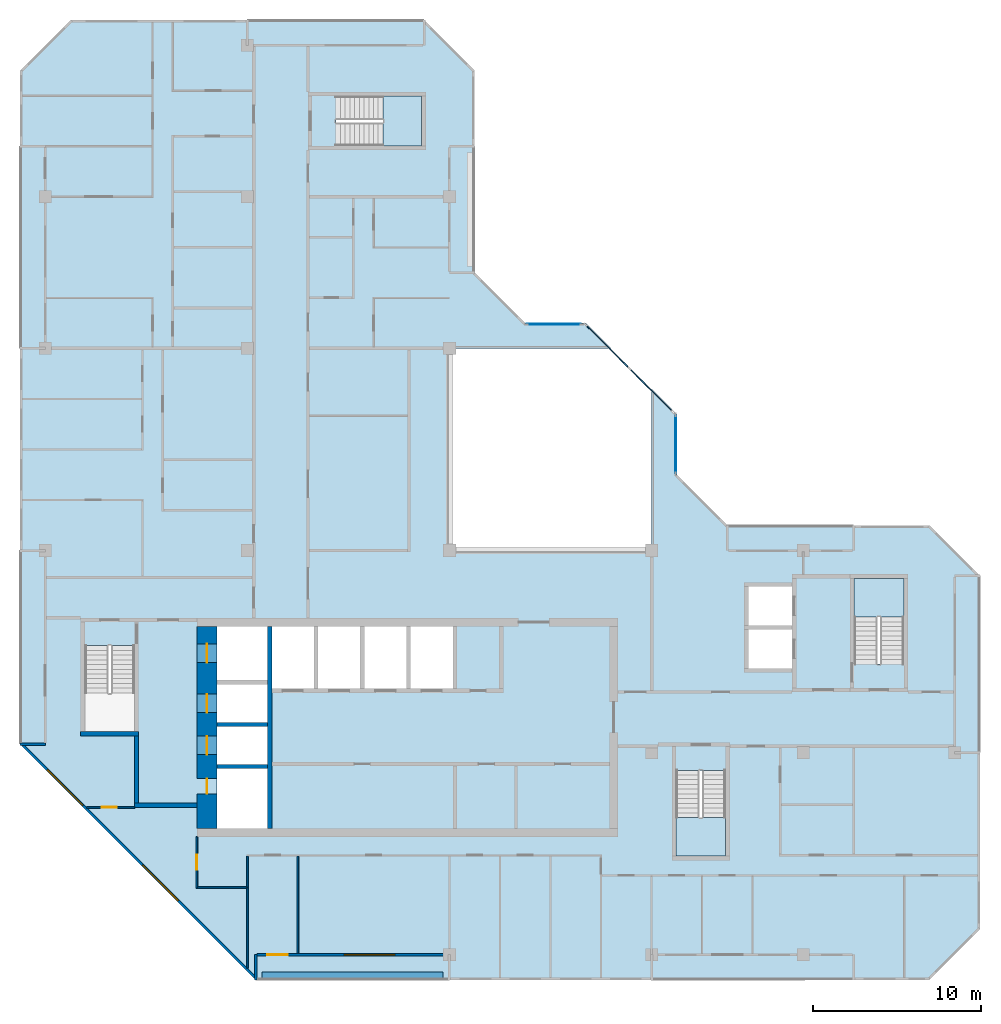
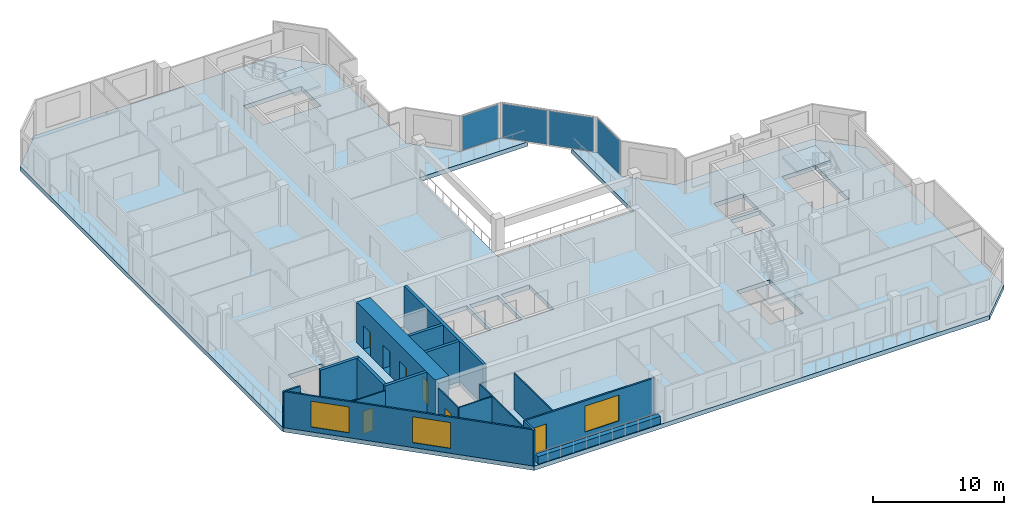
# One storey, part 3 of 12: 17 walls, 7 doors, 4 plates, 4 slabs, 3 windows, 10 openings, 6 elements without a shape of their own.
"""IFC4 building model written with IfcOpenShell, lengths in metres."""

from ifc_helpers import new_model, si_unit, direction, frame, frame_2d, origin, origin_2d, place, context, subcontext, project, spatial, polyline, rectangle, outline, extrude, material, layer, layer_set, type_object, element, fill, aggregate, save


model = new_model("IFC4")

# Units and contexts
model_context = context("Model", 3, precision=1e-05, world=origin(), true_north=direction((0.0, 1.0)))
body_context = subcontext(model_context, "Body", "Model", "MODEL_VIEW")
ifc_project = project(units=[si_unit("LENGTHUNIT", "METRE"), si_unit("AREAUNIT", "SQUARE_METRE"), si_unit("VOLUMEUNIT", "CUBIC_METRE"), si_unit("PLANEANGLEUNIT", "RADIAN"), si_unit("MASSUNIT", "GRAM", prefix="KILO")], contexts=[model_context])

# Site, building, storey
site_placement = place(None, origin())
site = spatial("IfcSite", under=ifc_project, at=site_placement, CompositionType="ELEMENT")
building_placement = place(site_placement, origin())
building = spatial("IfcBuilding", under=site, at=building_placement, Name="Chenar Terraces", CompositionType="ELEMENT")
storey_placement = place(building_placement, frame((0.0, 0.0, 365.14990234375)))
storey = spatial("IfcBuildingStorey", under=building, at=storey_placement, Name="L85", CompositionType="ELEMENT", Elevation=365.14990234375)

# Curtain wall, plate
ifc_material_1 = material(Name="Aluminium framed glazing", Category="aluminium")
ifc_layer_1 = layer(ifc_material_1, 0.14990234375)
ifc_layer_set_1 = layer_set([ifc_layer_1], Name="Aluminium framed glazing")
curtain_wall_type = type_object("IfcCurtainWallType", Name="Atrium upper-zone curtain wall", PredefinedType="NOTDEFINED", material=ifc_layer_set_1)
placement_1 = place(storey_placement, origin())
curtain_wall_1 = element("IfcCurtainWall", 1, at=placement_1, inside=storey, type_object=curtain_wall_type, Name="Atrium upper-zone curtain wall", PredefinedType="NOTDEFINED")
ifc_material_2 = material(Name="Low emissivity laminated glass, solar control coating", Category="glass")
ifc_layer_2 = layer(ifc_material_2, 0.050048828125)
ifc_layer_set_2 = layer_set([ifc_layer_2], Name="Low emissivity laminated glass, solar control coating")
plate_type = type_object("IfcPlateType", Name="Atrium upper-zone glazing panel 50", PredefinedType="CURTAIN_PANEL", material=ifc_layer_set_2)
plate_1_placement = place(storey_placement, frame((37.425048828125, 30.300048828125, 0.10009765625), z_axis=(0.0, 0.0, 1.0), x_axis=(0.0, 1.0, 0.0)))
plate_1 = element("IfcPlate", 2, at=plate_1_placement, type_object=plate_type, Name="CW8-1 panel 1.1", PredefinedType="CURTAIN_PANEL", context=body_context, shape_type="SweptSolid", body=[
    extrude(rectangle(XDim=3.39990234375, YDim=0.050048828125, at=origin_2d()), origin(), (0.0, 0.0, 1.0), 3.14990234375),
])
aggregate(curtain_wall_1, [plate_1])

# Curtain wall, plates
curtain_wall_2 = element("IfcCurtainWall", 3, at=placement_1, inside=storey, type_object=curtain_wall_type, Name="Atrium upper-zone curtain wall", PredefinedType="NOTDEFINED")
plate_2_placement = place(storey_placement, frame((35.97314453125, 33.520751953125, 0.10009765625), z_axis=(0.0, 0.0, 1.0), x_axis=(-0.707106781187, 0.707106781187, 0.0)))
plate_2 = element("IfcPlate", 4, at=plate_2_placement, type_object=plate_type, Name="CW8-2 panel 1.1", PredefinedType="CURTAIN_PANEL", context=body_context, shape_type="SweptSolid", body=[
    extrude(rectangle(XDim=3.568359375, YDim=0.050048828125, at=origin_2d()), origin(), (0.0, 0.0, 1.0), 3.14990234375),
])
plate_3_placement = place(storey_placement, frame((33.379150390625, 36.11474609375, 0.10009765625), z_axis=(0.0, 0.0, 1.0), x_axis=(-0.707106781187, 0.707106781187, 0.0)))
plate_3 = element("IfcPlate", 5, at=plate_3_placement, type_object=plate_type, Name="CW8-2 panel 2.1", PredefinedType="CURTAIN_PANEL", context=body_context, shape_type="SweptSolid", body=[
    extrude(rectangle(XDim=3.568359375, YDim=0.050048828125, at=origin_2d()), origin(), (0.0, 0.0, 1.0), 3.14990234375),
])
aggregate(curtain_wall_2, [plate_2, plate_3])

# Curtain wall, plate
curtain_wall_3 = element("IfcCurtainWall", 6, at=placement_1, inside=storey, type_object=curtain_wall_type, Name="Atrium upper-zone curtain wall", PredefinedType="NOTDEFINED")
plate_4_placement = place(storey_placement, frame((30.199951171875, 37.425048828125, 0.10009765625), z_axis=(0.0, 0.0, 1.0), x_axis=(-1.0, 0.0, 0.0)))
plate_4 = element("IfcPlate", 7, at=plate_4_placement, type_object=plate_type, Name="CW8-3 panel 1.1", PredefinedType="CURTAIN_PANEL", context=body_context, shape_type="SweptSolid", body=[
    extrude(rectangle(XDim=3.199951171875, YDim=0.050048828125, at=origin_2d()), origin(), (0.0, 0.0, 1.0), 3.14990234375),
])
aggregate(curtain_wall_3, [plate_4])

# Stair, slab
ifc_material_3 = material(Name="Reinforced concrete C40/50", Category="concrete")
stair_type = type_object("IfcStairType", Name="Core stair 1400 half-turn", PredefinedType="HALF_TURN_STAIR", material=ifc_material_3)
stair_1 = element("IfcStair", 8, at=placement_1, inside=storey, type_object=stair_type, Name="L85 Stair 2", PredefinedType="HALF_TURN_STAIR")
ifc_material_4 = material(Name="Reinforced concrete C40/50", Category="concrete")
ifc_layer_3 = layer(ifc_material_4, 0.199951171875)
ifc_layer_set_3 = layer_set([ifc_layer_3], Name="Reinforced concrete C40/50")
slab_type_1 = type_object("IfcSlabType", Name="Core stair landing 200", PredefinedType="LANDING", material=ifc_layer_set_3)
placement_2 = place(storey_placement, frame((0.0, 0.0, 1.675048828125)))
slab_1 = element("IfcSlab", 9, at=placement_2, type_object=slab_type_1, Name="ST2 landing 1", PredefinedType="LANDING", context=body_context, shape_type="SweptSolid", body=[
    extrude(outline(polyline([(37.449951171875, 8.14990234375), (37.449951171875, 5.85009765625), (40.39990234375, 5.85009765625), (40.39990234375, 8.14990234375), (37.449951171875, 8.14990234375)])), origin(), (0.0, 0.0, 1.0), 0.199951171875),
])
aggregate(stair_1, [slab_1])

stair_2 = element("IfcStair", 10, at=placement_1, inside=storey, type_object=stair_type, Name="L85 Stair 3", PredefinedType="HALF_TURN_STAIR")
slab_2 = element("IfcSlab", 11, at=placement_2, type_object=slab_type_1, Name="ST3 landing 1", PredefinedType="LANDING", context=body_context, shape_type="SweptSolid", body=[
    extrude(outline(polyline([(50.97509765625, 20.050048828125), (50.97509765625, 22.35009765625), (48.02490234375, 22.35009765625), (48.02490234375, 20.050048828125), (50.97509765625, 20.050048828125)])), origin(), (0.0, 0.0, 1.0), 0.199951171875),
])
aggregate(stair_2, [slab_2])

stair_3 = element("IfcStair", 12, at=placement_1, inside=storey, type_object=stair_type, Name="L85 Stair 4", PredefinedType="HALF_TURN_STAIR")
slab_3 = element("IfcSlab", 13, at=placement_2, type_object=slab_type_1, Name="ST4 landing 1", PredefinedType="LANDING", context=body_context, shape_type="SweptSolid", body=[
    extrude(outline(polyline([(20.050048828125, 48.02490234375), (22.35009765625, 48.02490234375), (22.35009765625, 50.97509765625), (20.050048828125, 50.97509765625), (20.050048828125, 48.02490234375)])), origin(), (0.0, 0.0, 1.0), 0.199951171875),
])
aggregate(stair_3, [slab_3])

# Slab
ifc_material_5 = material(Name="Concrete C40/50", Category="concrete")
ifc_layer_4 = layer(ifc_material_5, 0.39990234375)
ifc_layer_set_4 = layer_set([ifc_layer_4], Name="Concrete C40/50")
slab_type_2 = type_object("IfcSlabType", Name="Floor slab 400 Concrete C40/50", PredefinedType="FLOOR", material=ifc_layer_set_4)
slab_4_placement = place(storey_placement, frame((0.0, 0.0, -0.39990234375)))
element("IfcSlab", 14, at=slab_4_placement, inside=storey, type_object=slab_type_2, Name="Floor slab L85", PredefinedType="FLOOR", context=body_context, shape_type="SweptSolid", body=[
    extrude(outline(polyline([(55.5, 22.5), (55.5, 1.5), (52.5, -1.5), (12.5, -1.5), (-1.5, 12.5), (-1.5, 52.5), (1.5, 55.5), (22.5, 55.5), (25.5, 52.5), (25.5, 40.5), (28.5, 37.5), (32.10009765625, 37.5), (33.60009765625, 36.0), (24.0, 36.0), (24.0, 24.0), (36.0, 24.0), (36.0, 33.60009765625), (37.5, 32.10009765625), (37.5, 28.5), (40.5, 25.5), (52.5, 25.5), (55.5, 22.5)]), holes=[polyline([(10.199951171875, 11.050048828125), (10.199951171875, 7.5), (13.199951171875, 7.5), (13.199951171875, 11.050048828125), (10.199951171875, 11.050048828125)]), polyline([(13.199951171875, 13.550048828125), (10.199951171875, 13.550048828125), (10.199951171875, 11.300048828125), (13.199951171875, 11.300048828125), (13.199951171875, 13.550048828125)]), polyline([(13.199951171875, 16.050048828125), (10.199951171875, 16.050048828125), (10.199951171875, 13.800048828125), (13.199951171875, 13.800048828125), (13.199951171875, 16.050048828125)]), polyline([(2.35009765625, 13.25), (5.300048828125, 13.25), (5.300048828125, 18.35009765625), (2.35009765625, 18.35009765625), (2.35009765625, 13.25)]), polyline([(15.949951171875, 19.5), (13.449951171875, 19.5), (13.449951171875, 15.800048828125), (15.949951171875, 15.800048828125), (15.949951171875, 19.5)]), polyline([(18.699951171875, 19.5), (16.199951171875, 19.5), (16.199951171875, 15.800048828125), (18.699951171875, 15.800048828125), (18.699951171875, 19.5)]), polyline([(13.199951171875, 19.5), (10.199951171875, 19.5), (10.199951171875, 16.300048828125), (13.199951171875, 16.300048828125), (13.199951171875, 19.5)]), polyline([(22.35009765625, 48.02490234375), (22.35009765625, 50.97509765625), (17.25, 50.97509765625), (17.25, 48.02490234375), (22.35009765625, 48.02490234375)]), polyline([(37.449951171875, 5.85009765625), (40.39990234375, 5.85009765625), (40.39990234375, 10.949951171875), (37.449951171875, 10.949951171875), (37.449951171875, 5.85009765625)]), polyline([(21.449951171875, 19.5), (18.949951171875, 19.5), (18.949951171875, 15.800048828125), (21.449951171875, 15.800048828125), (21.449951171875, 19.5)]), polyline([(24.199951171875, 19.5), (21.699951171875, 19.5), (21.699951171875, 15.800048828125), (24.199951171875, 15.800048828125), (24.199951171875, 19.5)]), polyline([(44.35009765625, 19.300048828125), (41.75, 19.300048828125), (41.75, 17.0), (44.35009765625, 17.0), (44.35009765625, 19.300048828125)]), polyline([(50.97509765625, 22.35009765625), (48.02490234375, 22.35009765625), (48.02490234375, 17.25), (50.97509765625, 17.25), (50.97509765625, 22.35009765625)]), polyline([(44.35009765625, 21.85009765625), (41.75, 21.85009765625), (41.75, 19.550048828125), (44.35009765625, 19.550048828125), (44.35009765625, 21.85009765625)])]), origin(), (0.0, 0.0, 1.0), 0.39990234375),
])

# Wall, openings, doors
ifc_material_6 = material(Name="Concrete C50/60", Category="concrete")
ifc_layer_5 = layer(ifc_material_6, 1.199951171875)
ifc_layer_set_5 = layer_set([ifc_layer_5], Name="Concrete C50/60")
wall_type_1 = type_object("IfcWallType", Name="Core wall 1200 Concrete C50/60", PredefinedType="SHEAR", material=ifc_layer_set_5)
wall_1_placement = place(storey_placement, frame((9.60009765625, 7.5, 0.0), z_axis=(0.0, 0.0, 1.0), x_axis=(0.0, 1.0, 0.0)))
wall_1 = element("IfcWall", 15, at=wall_1_placement, inside=storey, type_object=wall_type_1, Name="Core wall W L85", PredefinedType="SHEAR", context=body_context, shape_type="SweptSolid", body=[
    extrude(rectangle(XDim=12.0, YDim=1.199951171875, at=frame_2d((6.0, 0.0))), origin(), (0.0, 0.0, 1.0), 3.75),
])
opening_1_placement = place(wall_1_placement, frame((4.375, 0.0, 0.0)))
opening_1 = element("IfcOpeningElement", 16, at=opening_1_placement, cuts=wall_1, Name="Opening DL85-LD5", PredefinedType="OPENING", context=body_context, shape_type="SweptSolid", body=[
    extrude(rectangle(XDim=1.10009765625, YDim=2.199951171875, at=frame_2d((0.550048828125, 1.10009765625))), frame((0.0, 0.60986328125, 0.0), z_axis=(0.0, -1.0, 0.0), x_axis=(1.0, 0.0, 0.0)), (0.0, 0.0, 1.0), 1.219970703125),
])
opening_2_placement = place(wall_1_placement, frame((6.875, 0.0, 0.0)))
opening_2 = element("IfcOpeningElement", 17, at=opening_2_placement, cuts=wall_1, Name="Opening DL85-LD6", PredefinedType="OPENING", context=body_context, shape_type="SweptSolid", body=[
    extrude(rectangle(XDim=1.10009765625, YDim=2.199951171875, at=frame_2d((0.550048828125, 1.10009765625))), frame((0.0, 0.60986328125, 0.0), z_axis=(0.0, -1.0, 0.0), x_axis=(1.0, 0.0, 0.0)), (0.0, 0.0, 1.0), 1.219970703125),
])
opening_3_placement = place(wall_1_placement, frame((9.85009765625, 0.0, 0.0)))
opening_3 = element("IfcOpeningElement", 18, at=opening_3_placement, cuts=wall_1, Name="Opening DL85-LD7", PredefinedType="OPENING", context=body_context, shape_type="SweptSolid", body=[
    extrude(rectangle(XDim=1.10009765625, YDim=2.199951171875, at=frame_2d((0.550048828125, 1.10009765625))), frame((0.0, 0.60986328125, 0.0), z_axis=(0.0, -1.0, 0.0), x_axis=(1.0, 0.0, 0.0)), (0.0, 0.0, 1.0), 1.219970703125),
])
opening_4_placement = place(wall_1_placement, frame((2.050048828125, 0.0, 0.0)))
opening_4 = element("IfcOpeningElement", 19, at=opening_4_placement, cuts=wall_1, Name="Opening DL85-C4", PredefinedType="OPENING", context=body_context, shape_type="SweptSolid", body=[
    extrude(rectangle(XDim=0.89990234375, YDim=2.10009765625, at=frame_2d((0.449951171875, 1.050048828125))), frame((0.0, 0.60986328125, 0.0), z_axis=(0.0, -1.0, 0.0), x_axis=(1.0, 0.0, 0.0)), (0.0, 0.0, 1.0), 1.219970703125),
])
ifc_material_7 = material(Name="Stainless steel", Category="steel")
door_type_1 = type_object("IfcDoorType", Name="Lift landing door 1100 x 2200 sliding", OperationType="DOUBLE_DOOR_SLIDING", PredefinedType="DOOR", material=ifc_material_7)
door_1_placement = place(opening_1_placement, origin())
door_1 = element("IfcDoor", 20, at=door_1_placement, inside=storey, type_object=door_type_1, Name="Landing door S1", OperationType="DOUBLE_DOOR_SLIDING", OverallHeight=2.199951171875, OverallWidth=1.10009765625, PredefinedType="DOOR", context=body_context, shape_type="SweptSolid", body=[
    extrude(rectangle(XDim=1.10009765625, YDim=2.199951171875, at=frame_2d((0.550048828125, 1.10009765625))), frame((0.0, 0.02490234375, 0.0), z_axis=(0.0, -1.0, 0.0), x_axis=(1.0, 0.0, 0.0)), (0.0, 0.0, 1.0), 0.050048828125),
])
fill(opening_1, door_1)
door_2_placement = place(opening_2_placement, origin())
door_2 = element("IfcDoor", 21, at=door_2_placement, inside=storey, type_object=door_type_1, Name="Landing door F1", OperationType="DOUBLE_DOOR_SLIDING", OverallHeight=2.199951171875, OverallWidth=1.10009765625, PredefinedType="DOOR", context=body_context, shape_type="SweptSolid", body=[
    extrude(rectangle(XDim=1.10009765625, YDim=2.199951171875, at=frame_2d((0.550048828125, 1.10009765625))), frame((0.0, 0.02490234375, 0.0), z_axis=(0.0, -1.0, 0.0), x_axis=(1.0, 0.0, 0.0)), (0.0, 0.0, 1.0), 0.050048828125),
])
fill(opening_2, door_2)
door_3_placement = place(opening_3_placement, origin())
door_3 = element("IfcDoor", 22, at=door_3_placement, inside=storey, type_object=door_type_1, Name="Landing door F2", OperationType="DOUBLE_DOOR_SLIDING", OverallHeight=2.199951171875, OverallWidth=1.10009765625, PredefinedType="DOOR", context=body_context, shape_type="SweptSolid", body=[
    extrude(rectangle(XDim=1.10009765625, YDim=2.199951171875, at=frame_2d((0.550048828125, 1.10009765625))), frame((0.0, 0.02490234375, 0.0), z_axis=(0.0, -1.0, 0.0), x_axis=(1.0, 0.0, 0.0)), (0.0, 0.0, 1.0), 0.050048828125),
])
fill(opening_3, door_3)
ifc_material_8 = material(Name="Steel-framed fire-resisting door leaf", Category="steel")
door_type_2 = type_object("IfcDoorType", Name="Riser fire door FD60 900 x 2100", OperationType="SINGLE_SWING_LEFT", PredefinedType="DOOR", material=ifc_material_8)
door_4_placement = place(opening_4_placement, frame((0.89990234375, 0.0, 0.0), z_axis=(0.0, 0.0, 1.0), x_axis=(-1.0, 0.0, 0.0)))
door_4 = element("IfcDoor", 23, at=door_4_placement, inside=storey, type_object=door_type_2, Name="Riser door DL85-C4", OperationType="SINGLE_SWING_LEFT", OverallHeight=2.10009765625, OverallWidth=0.89990234375, PredefinedType="DOOR", context=body_context, shape_type="SweptSolid", body=[
    extrude(rectangle(XDim=0.89990234375, YDim=2.10009765625, at=frame_2d((0.449951171875, 1.050048828125))), frame((0.0, 0.02490234375, 0.0), z_axis=(0.0, -1.0, 0.0), x_axis=(1.0, 0.0, 0.0)), (0.0, 0.0, 1.0), 0.050048828125),
])
fill(opening_4, door_4)

# Walls
ifc_material_9 = material(Name="Concrete C50/60", Category="concrete")
ifc_layer_6 = layer(ifc_material_9, 0.25)
ifc_layer_set_6 = layer_set([ifc_layer_6], Name="Concrete C50/60")
wall_type_2 = type_object("IfcWallType", Name="Core wall 250 Concrete C50/60", PredefinedType="SHEAR", material=ifc_layer_set_6)
wall_2_placement = place(storey_placement, frame((13.324951171875, 7.5, 0.0), z_axis=(0.0, 0.0, 1.0), x_axis=(0.0, 1.0, 0.0)))
element("IfcWall", 24, at=wall_2_placement, inside=storey, type_object=wall_type_2, Name="Core wall WI L85", PredefinedType="SHEAR", context=body_context, shape_type="SweptSolid", body=[
    extrude(rectangle(XDim=12.0, YDim=0.25, at=frame_2d((6.0, 0.0))), origin(), (0.0, 0.0, 1.0), 3.75),
])
for number, where, z_axis, x_axis, name in (
    (25, (10.199951171875, 11.175048828125, 0.0), (0.0, 0.0, 1.0), (1.0, 0.0, 0.0), "Core wall HW0 L85"),
    (26, (10.199951171875, 13.675048828125, 0.0), (0.0, 0.0, 1.0), (1.0, 0.0, 0.0), "Core wall HW1 L85"),
):
    element("IfcWall", number, at=place(storey_placement, frame(where, z_axis=z_axis, x_axis=x_axis)), inside=storey, type_object=wall_type_2, Name=name, PredefinedType="SHEAR", context=body_context, shape_type="SweptSolid", body=[
        extrude(rectangle(XDim=3.0, YDim=0.25, at=frame_2d((1.5, 0.0))), origin(), (0.0, 0.0, 1.0), 3.75),
    ])
wall_3_placement = place(storey_placement, frame((2.10009765625, 13.125, 0.0), z_axis=(0.0, 0.0, 1.0), x_axis=(1.0, 0.0, 0.0)))
element("IfcWall", 27, at=wall_3_placement, inside=storey, type_object=wall_type_2, Name="Core wall ST1_S L85", PredefinedType="SHEAR", context=body_context, shape_type="SweptSolid", body=[
    extrude(rectangle(XDim=3.449951171875, YDim=0.25, at=frame_2d((1.72509765625, 0.0))), origin(), (0.0, 0.0, 1.0), 3.75),
])
wall_4_placement = place(storey_placement, frame((5.300048828125, 8.875, 0.0), z_axis=(0.0, 0.0, 1.0), x_axis=(1.0, 0.0, 0.0)))
element("IfcWall", 28, at=wall_4_placement, inside=storey, type_object=wall_type_2, Name="Core wall FFL_S L85", PredefinedType="SHEAR", context=body_context, shape_type="SweptSolid", body=[
    extrude(rectangle(XDim=3.699951171875, YDim=0.25, at=frame_2d((1.85009765625, 0.0))), origin(), (0.0, 0.0, 1.0), 3.75),
])
wall_5_placement = place(storey_placement, frame((5.425048828125, 9.0, 0.0), z_axis=(0.0, 0.0, 1.0), x_axis=(0.0, 1.0, 0.0)))
element("IfcWall", 29, at=wall_5_placement, inside=storey, type_object=wall_type_2, Name="Core wall FFL_W L85", PredefinedType="SHEAR", context=body_context, shape_type="SweptSolid", body=[
    extrude(rectangle(XDim=4.0, YDim=0.25, at=frame_2d((2.0, 0.0))), origin(), (0.0, 0.0, 1.0), 3.75),
])

# Wall, openings, window, door
ifc_material_10 = material(Name="Aluminium framed glazing", Category="aluminium")
ifc_layer_7 = layer(ifc_material_10, 0.14990234375)
ifc_layer_set_7 = layer_set([ifc_layer_7], Name="Aluminium framed glazing")
wall_type_3 = type_object("IfcWallType", Name="Glazed loggia back wall 150", PredefinedType="SOLIDWALL", material=ifc_layer_set_7)
wall_6_placement = place(storey_placement, frame((12.574951171875, 0.0, 0.0), z_axis=(0.0, 0.0, 1.0), x_axis=(1.0, 0.0, 0.0)))
wall_6 = element("IfcWall", 30, at=wall_6_placement, inside=storey, type_object=wall_type_3, Name="Glazed loggia back wall", PredefinedType="SOLIDWALL", context=body_context, shape_type="SweptSolid", body=[
    extrude(rectangle(XDim=11.35009765625, YDim=0.14990234375, at=frame_2d((5.675048828125, 0.0))), origin(), (0.0, 0.0, 1.0), 3.35009765625),
])
opening_5_placement = place(wall_6_placement, frame((0.612548828125, 0.0, 0.0)))
opening_5 = element("IfcOpeningElement", 31, at=opening_5_placement, cuts=wall_6, Name="Opening DL85-G3", PredefinedType="OPENING", context=body_context, shape_type="SweptSolid", body=[
    extrude(rectangle(XDim=1.199951171875, YDim=2.39990234375, at=frame_2d((0.60009765625, 1.199951171875))), frame((0.0, 0.0849609375, 0.0), z_axis=(0.0, -1.0, 0.0), x_axis=(1.0, 0.0, 0.0)), (0.0, 0.0, 1.0), 0.169921875),
])
opening_6_placement = place(wall_6_placement, frame((5.1875, 0.0, 0.449951171875)))
opening_6 = element("IfcOpeningElement", 32, at=opening_6_placement, cuts=wall_6, Name="Opening W300x240", PredefinedType="OPENING", context=body_context, shape_type="SweptSolid", body=[
    extrude(rectangle(XDim=3.0, YDim=2.39990234375, at=frame_2d((1.5, 1.199951171875))), frame((0.0, 0.0849609375, 0.0), z_axis=(0.0, -1.0, 0.0), x_axis=(1.0, 0.0, 0.0)), (0.0, 0.0, 1.0), 0.169921875),
])
ifc_material_11 = material(Name="Low emissivity double glazing, aluminium frame", Category="aluminium")
window_type = type_object("IfcWindowType", Name="Fixed light 3000 x 2400", PartitioningType="SINGLE_PANEL", PredefinedType="WINDOW", material=ifc_material_11)
window_1_placement = place(opening_6_placement, origin())
window_1 = element("IfcWindow", 33, at=window_1_placement, inside=storey, type_object=window_type, Name="Window", OverallHeight=2.39990234375, OverallWidth=3.0, PartitioningType="SINGLE_PANEL", PredefinedType="WINDOW", context=body_context, shape_type="SweptSolid", body=[
    extrude(rectangle(XDim=3.0, YDim=2.39990234375, at=frame_2d((1.5, 1.199951171875))), frame((0.0, 0.030029296875, 0.0), z_axis=(0.0, -1.0, 0.0), x_axis=(1.0, 0.0, 0.0)), (0.0, 0.0, 1.0), 0.06005859375),
])
fill(opening_6, window_1)
ifc_material_12 = material(Name="Low emissivity double glazing, aluminium frame", Category="aluminium")
door_type_3 = type_object("IfcDoorType", Name="Loggia glazed double door 1200 x 2400", OperationType="DOUBLE_DOOR_SINGLE_SWING", PredefinedType="DOOR", material=ifc_material_12)
door_5_placement = place(opening_5_placement, frame((1.199951171875, 0.0, 0.0), z_axis=(0.0, 0.0, 1.0), x_axis=(-1.0, 0.0, 0.0)))
door_5 = element("IfcDoor", 34, at=door_5_placement, inside=storey, type_object=door_type_3, Name="Loggia glazed door", OperationType="DOUBLE_DOOR_SINGLE_SWING", OverallHeight=2.39990234375, OverallWidth=1.199951171875, PredefinedType="DOOR", context=body_context, shape_type="SweptSolid", body=[
    extrude(rectangle(XDim=1.199951171875, YDim=2.39990234375, at=frame_2d((0.60009765625, 1.199951171875))), frame((0.0, 0.02490234375, 0.0), z_axis=(0.0, -1.0, 0.0), x_axis=(1.0, 0.0, 0.0)), (0.0, 0.0, 1.0), 0.050048828125),
])
fill(opening_5, door_5)

# Wall, opening, door
ifc_material_13 = material(Name="Gypsum board on steel studs", Category="steel")
ifc_layer_8 = layer(ifc_material_13, 0.10009765625)
ifc_layer_set_8 = layer_set([ifc_layer_8], Name="Gypsum board on steel studs")
wall_type_4 = type_object("IfcWallType", Name="Gypsum partition 100", PredefinedType="PARTITIONING", material=ifc_layer_set_8)
wall_7_placement = place(storey_placement, frame((2.4609375, 8.75, 0.0), z_axis=(0.0, 0.0, 1.0), x_axis=(1.0, 0.0, 0.0)))
wall_7 = element("IfcWall", 35, at=wall_7_placement, inside=storey, type_object=wall_type_4, Name="Partition L85-011", PredefinedType="PARTITIONING", context=body_context, shape_type="SweptSolid", body=[
    extrude(rectangle(XDim=2.839111328125, YDim=0.10009765625, at=frame_2d((1.41943359375, 0.0))), origin(), (0.0, 0.0, 1.0), 3.35009765625),
])
opening_7_placement = place(wall_7_placement, frame((0.888916015625, 0.0, 0.0)))
opening_7 = element("IfcOpeningElement", 36, at=opening_7_placement, cuts=wall_7, Name="Opening DL85-34", PredefinedType="OPENING", context=body_context, shape_type="SweptSolid", body=[
    extrude(rectangle(XDim=0.89990234375, YDim=2.10009765625, at=frame_2d((0.449951171875, 1.050048828125))), frame((0.0, 0.06005859375, 0.0), z_axis=(0.0, -1.0, 0.0), x_axis=(1.0, 0.0, 0.0)), (0.0, 0.0, 1.0), 0.1201171875),
])
ifc_material_14 = material(Name="Veneered timber door leaf", Category="wood")
door_type_4 = type_object("IfcDoorType", Name="Door 900 x 2100", OperationType="SINGLE_SWING_LEFT", PredefinedType="DOOR", material=ifc_material_14)
door_6_placement = place(opening_7_placement, frame((0.89990234375, 0.0, 0.0), z_axis=(0.0, 0.0, 1.0), x_axis=(-1.0, 0.0, 0.0)))
door_6 = element("IfcDoor", 37, at=door_6_placement, inside=storey, type_object=door_type_4, Name="Door DL85-34", OperationType="SINGLE_SWING_RIGHT", OverallHeight=2.10009765625, OverallWidth=0.89990234375, PredefinedType="DOOR", context=body_context, shape_type="SweptSolid", body=[
    extrude(rectangle(XDim=0.89990234375, YDim=2.10009765625, at=frame_2d((0.449951171875, 1.050048828125))), frame((0.0, 0.02490234375, 0.0), z_axis=(0.0, -1.0, 0.0), x_axis=(1.0, 0.0, 0.0)), (0.0, 0.0, 1.0), 0.050048828125),
])
fill(opening_7, door_6)

wall_8_placement = place(storey_placement, frame((9.0, 3.949951171875, 0.0), z_axis=(0.0, 0.0, 1.0), x_axis=(0.0, 1.0, 0.0)))
wall_8 = element("IfcWall", 38, at=wall_8_placement, inside=storey, type_object=wall_type_4, Name="Partition L85-026", PredefinedType="PARTITIONING", context=body_context, shape_type="SweptSolid", body=[
    extrude(rectangle(XDim=3.050048828125, YDim=0.10009765625, at=frame_2d((1.52490234375, 0.0))), origin(), (0.0, 0.0, 1.0), 3.35009765625),
])
opening_8_placement = place(wall_8_placement, frame((1.10009765625, 0.0, 0.0)))
opening_8 = element("IfcOpeningElement", 39, at=opening_8_placement, cuts=wall_8, Name="Opening DL85-33", PredefinedType="OPENING", context=body_context, shape_type="SweptSolid", body=[
    extrude(rectangle(XDim=0.89990234375, YDim=2.10009765625, at=frame_2d((0.449951171875, 1.050048828125))), frame((0.0, 0.06005859375, 0.0), z_axis=(0.0, -1.0, 0.0), x_axis=(1.0, 0.0, 0.0)), (0.0, 0.0, 1.0), 0.1201171875),
])
door_7_placement = place(opening_8_placement, origin())
door_7 = element("IfcDoor", 40, at=door_7_placement, inside=storey, type_object=door_type_4, Name="Door DL85-33", OperationType="SINGLE_SWING_LEFT", OverallHeight=2.10009765625, OverallWidth=0.89990234375, PredefinedType="DOOR", context=body_context, shape_type="SweptSolid", body=[
    extrude(rectangle(XDim=0.89990234375, YDim=2.10009765625, at=frame_2d((0.449951171875, 1.050048828125))), frame((0.0, 0.02490234375, 0.0), z_axis=(0.0, -1.0, 0.0), x_axis=(1.0, 0.0, 0.0)), (0.0, 0.0, 1.0), 0.050048828125),
])
fill(opening_8, door_7)

# Walls
wall_9_placement = place(storey_placement, frame((9.050048828125, 4.0, 0.0), z_axis=(0.0, 0.0, 1.0), x_axis=(1.0, 0.0, 0.0)))
element("IfcWall", 41, at=wall_9_placement, inside=storey, type_object=wall_type_4, Name="Partition L85-027", PredefinedType="PARTITIONING", context=body_context, shape_type="SweptSolid", body=[
    extrude(rectangle(XDim=2.89990234375, YDim=0.10009765625, at=frame_2d((1.449951171875, 0.0))), origin(), (0.0, 0.0, 1.0), 3.35009765625),
])
wall_10_placement = place(storey_placement, frame((12.0, -0.787841796875, 0.0), z_axis=(0.0, 0.0, 1.0), x_axis=(0.0, 1.0, 0.0)))
element("IfcWall", 42, at=wall_10_placement, inside=storey, type_object=wall_type_4, Name="Partition L85-029", PredefinedType="PARTITIONING", context=body_context, shape_type="SweptSolid", body=[
    extrude(rectangle(XDim=6.637939453125, YDim=0.10009765625, at=frame_2d((3.31884765625, 0.0))), origin(), (0.0, 0.0, 1.0), 3.35009765625),
])
wall_11_placement = place(storey_placement, frame((15.0, 0.073974609375, 0.0), z_axis=(0.0, 0.0, 1.0), x_axis=(0.0, 1.0, 0.0)))
element("IfcWall", 43, at=wall_11_placement, inside=storey, type_object=wall_type_4, Name="Partition L85-031", PredefinedType="PARTITIONING", context=body_context, shape_type="SweptSolid", body=[
    extrude(rectangle(XDim=5.776123046875, YDim=0.10009765625, at=frame_2d((2.88818359375, 0.0))), origin(), (0.0, 0.0, 1.0), 3.35009765625),
])
ifc_material_15 = material(Name="Terracotta cladding on insulated backing", Category="masonry")
ifc_layer_9 = layer(ifc_material_15, 0.14990234375)
ifc_layer_set_9 = layer_set([ifc_layer_9], Name="Terracotta cladding on insulated backing")
wall_type_5 = type_object("IfcWallType", Name="Loggia return wall 150", PredefinedType="SOLIDWALL", material=ifc_layer_set_9)
for number, where, z_axis, x_axis, name in (
    (44, (-1.5, 12.5, 0.0), (0.0, 0.0, 1.0), (1.0, 0.0, 0.0), "Loggia return wall"),
    (45, (12.5, -1.5, 0.0), (0.0, 0.0, 1.0), (0.0, 1.0, 0.0), "Loggia return wall"),
):
    element("IfcWall", number, at=place(storey_placement, frame(where, z_axis=z_axis, x_axis=x_axis)), inside=storey, type_object=wall_type_5, Name=name, PredefinedType="SOLIDWALL", context=body_context, shape_type="SweptSolid", body=[
        extrude(rectangle(XDim=1.5, YDim=0.14990234375, at=frame_2d((0.75, 0.0))), origin(), (0.0, 0.0, 1.0), 3.35009765625),
    ])

# Wall, openings, windows
ifc_material_16 = material(Name="Terracotta cladding on insulated backing", Category="masonry")
ifc_layer_10 = layer(ifc_material_16, 0.14990234375)
ifc_layer_set_10 = layer_set([ifc_layer_10], Name="Terracotta cladding on insulated backing")
wall_type_6 = type_object("IfcWallType", Name="Terracotta rainscreen wall 150", PredefinedType="SOLIDWALL", material=ifc_layer_set_10)
wall_12_placement = place(storey_placement, frame((-1.447021484375, 12.552978515625, 0.0), z_axis=(0.0, 0.0, 1.0), x_axis=(0.707106781187, -0.707106781187, 0.0)))
wall_12 = element("IfcWall", 46, at=wall_12_placement, inside=storey, type_object=wall_type_6, Name="Terracotta rainscreen wall", PredefinedType="SOLIDWALL", context=body_context, shape_type="SweptSolid", body=[
    extrude(rectangle(XDim=19.799072265625, YDim=0.14990234375, at=frame_2d((9.8994140625, 0.0))), origin(), (0.0, 0.0, 1.0), 3.35009765625),
])
opening_9_placement = place(wall_12_placement, frame((2.21240234375, 0.0, 0.449951171875)))
opening_9 = element("IfcOpeningElement", 47, at=opening_9_placement, cuts=wall_12, Name="Opening W300x240", PredefinedType="OPENING", context=body_context, shape_type="SweptSolid", body=[
    extrude(rectangle(XDim=3.0, YDim=2.39990234375, at=frame_2d((1.5, 1.199951171875))), frame((0.0, 0.0849609375, 0.0), z_axis=(0.0, -1.0, 0.0), x_axis=(1.0, 0.0, 0.0)), (0.0, 0.0, 1.0), 0.169921875),
])
opening_10_placement = place(wall_12_placement, frame((10.215576171875, 0.0, 0.449951171875)))
opening_10 = element("IfcOpeningElement", 48, at=opening_10_placement, cuts=wall_12, Name="Opening W300x240", PredefinedType="OPENING", context=body_context, shape_type="SweptSolid", body=[
    extrude(rectangle(XDim=3.0, YDim=2.39990234375, at=frame_2d((1.5, 1.199951171875))), frame((0.0, 0.0849609375, 0.0), z_axis=(0.0, -1.0, 0.0), x_axis=(1.0, 0.0, 0.0)), (0.0, 0.0, 1.0), 0.169921875),
])
window_2_placement = place(opening_9_placement, origin())
window_2 = element("IfcWindow", 49, at=window_2_placement, inside=storey, type_object=window_type, Name="Window", OverallHeight=2.39990234375, OverallWidth=3.0, PartitioningType="SINGLE_PANEL", PredefinedType="WINDOW", context=body_context, shape_type="SweptSolid", body=[
    extrude(rectangle(XDim=3.0, YDim=2.39990234375, at=frame_2d((1.5, 1.199951171875))), frame((0.0, 0.030029296875, 0.0), z_axis=(0.0, -1.0, 0.0), x_axis=(1.0, 0.0, 0.0)), (0.0, 0.0, 1.0), 0.06005859375),
])
fill(opening_9, window_2)
window_3_placement = place(opening_10_placement, origin())
window_3 = element("IfcWindow", 50, at=window_3_placement, inside=storey, type_object=window_type, Name="Window", OverallHeight=2.39990234375, OverallWidth=3.0, PartitioningType="SINGLE_PANEL", PredefinedType="WINDOW", context=body_context, shape_type="SweptSolid", body=[
    extrude(rectangle(XDim=3.0, YDim=2.39990234375, at=frame_2d((1.5, 1.199951171875))), frame((0.0, 0.030029296875, 0.0), z_axis=(0.0, -1.0, 0.0), x_axis=(1.0, 0.0, 0.0)), (0.0, 0.0, 1.0), 0.06005859375),
])
fill(opening_10, window_3)

# Wall
ifc_material_17 = material(Name="GRP planter trough")
ifc_layer_11 = layer(ifc_material_17, 0.39990234375)
ifc_layer_set_11 = layer_set([ifc_layer_11], Name="GRP planter trough")
wall_type_7 = type_object("IfcWallType", Name="Vertical greenery planter 400", PredefinedType="SOLIDWALL", material=ifc_layer_set_11)
wall_13_placement = place(storey_placement, frame((12.875, -1.22900390625, 0.0), z_axis=(0.0, 0.0, 1.0), x_axis=(1.0, 0.0, 0.0)))
element("IfcWall", 51, at=wall_13_placement, inside=storey, type_object=wall_type_7, Name="Vertical greenery planter", PredefinedType="SOLIDWALL", context=body_context, shape_type="SweptSolid", body=[
    extrude(rectangle(XDim=10.75, YDim=0.39990234375, at=frame_2d((5.375, 0.0))), origin(), (0.0, 0.0, 1.0), 0.7001953125),
])

save(model, "model.ifc")
